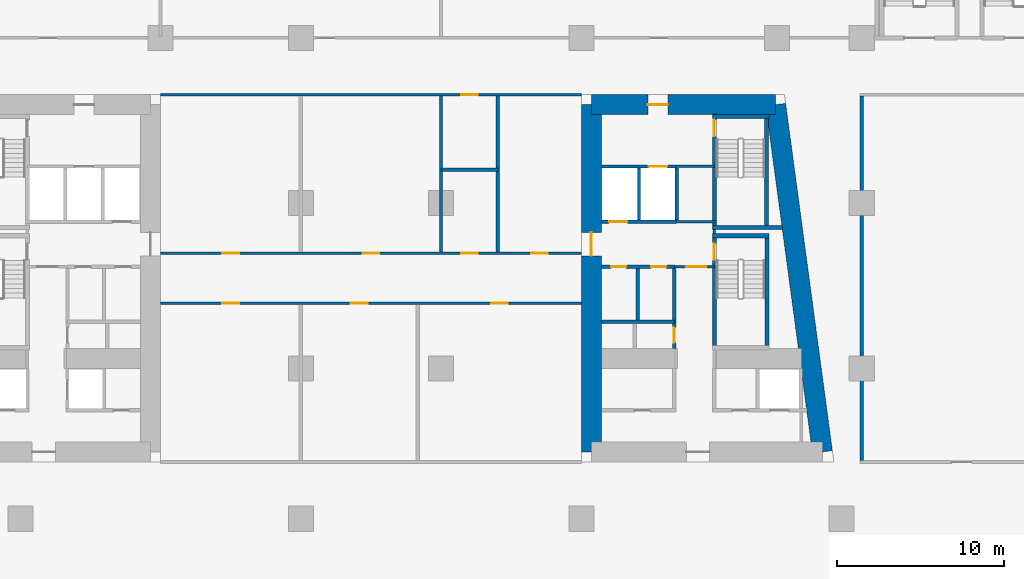
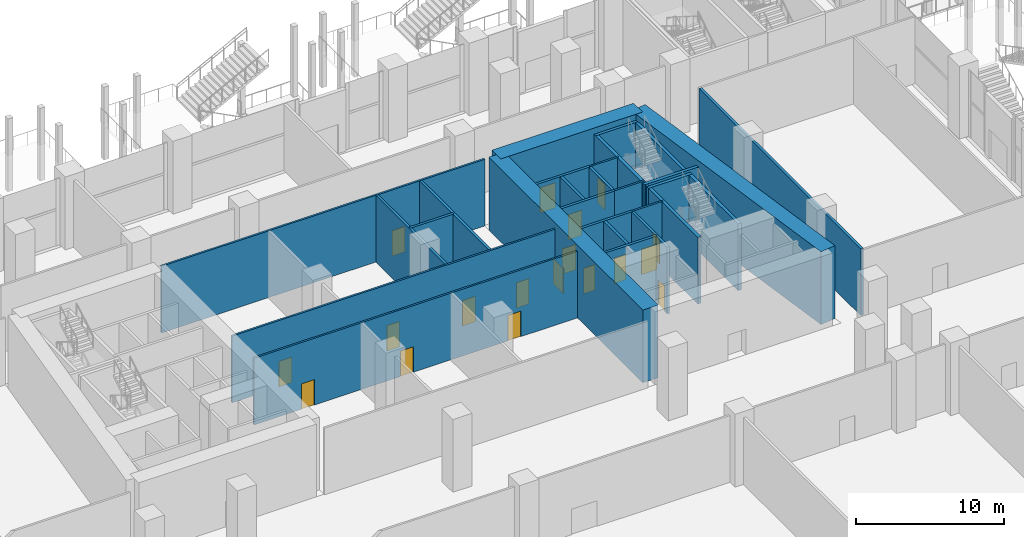
# One storey, part 27 of 49: 29 walls, 18 doors, 18 openings.
"""IFC4 building model written with IfcOpenShell, lengths in metres."""

import ifcopenshell
import ifcopenshell.guid

model = None  # the IFC model being written
_history = None  # IfcOwnerHistory: only IFC2X3 demands one
_inside = {}  # id of a spatial element -> (the spatial element, [elements in it])
_under = {}  # id of a project, library or spatial element -> (it, [spatial elements below it])
_declared = {}  # id of a project -> (the project, [libraries it declares])
_typed = {}  # id of a type object -> (the type object, [elements of that type])
_made_of = {}  # id of a material, layer set ... -> (it, [elements and type objects made of it])


def new_model(schema):
    """Start an empty IFC model of exactly this schema.

    Asked for "IFC4X3", IfcOpenShell would pick the latest addendum, in which some entities
    have other attributes; the version numbers below select the first issue.
    IFC2X3 requires an IfcOwnerHistory on every rooted entity: one is made here for all.
    """
    global model, _history
    if schema == "IFC4X3":
        model = ifcopenshell.file(schema_version=(4, 3, 0, 0))
    else:
        model = ifcopenshell.file(schema=schema)
    _inside.clear()
    _under.clear()
    _declared.clear()
    _typed.clear()
    _made_of.clear()
    _history = None
    if model.schema == "IFC2X3":
        org = make("IfcOrganization", Name="unknown")
        user = make(
            "IfcPersonAndOrganization",
            ThePerson=make("IfcPerson", FamilyName="unknown"),
            TheOrganization=org,
        )
        app = make(
            "IfcApplication",
            ApplicationDeveloper=org,
            Version="unknown",
            ApplicationFullName="unknown",
            ApplicationIdentifier="unknown",
        )
        _history = make(
            "IfcOwnerHistory",
            OwningUser=user,
            OwningApplication=app,
            ChangeAction="ADDED",
            CreationDate=0,
        )
    return model


def make(cls, **values):
    """One entity of the class cls with the attributes given. An attribute that is None is left unset."""
    return model.create_entity(
        cls, **{name: value for name, value in values.items() if value is not None}
    )


def rooted(cls, **values):
    """An entity with a GlobalId (a new one), such as an element, a storey or a relation."""
    return make(cls, GlobalId=ifcopenshell.guid.new(), OwnerHistory=_history, **values)


def si_unit(unit_type, name, prefix=None):
    """IfcSIUnit, for example si_unit("LENGTHUNIT", "METRE", prefix="MILLI")."""
    return make("IfcSIUnit", UnitType=unit_type, Prefix=prefix, Name=name)


def assignment(units):
    """IfcUnitAssignment: the units of a project."""
    return None if units is None else make("IfcUnitAssignment", Units=units)


def point(xyz):
    """IfcCartesianPoint."""
    return None if xyz is None else make("IfcCartesianPoint", Coordinates=xyz)


def direction(xyz):
    """IfcDirection."""
    return None if xyz is None else make("IfcDirection", DirectionRatios=xyz)


def frame(location, z_axis=None, x_axis=None):
    """IfcAxis2Placement3D, a coordinate frame: its origin and axes. An axis left out is left unset."""
    return make(
        "IfcAxis2Placement3D",
        Location=point(location),
        Axis=direction(z_axis),
        RefDirection=direction(x_axis),
    )


def frame_2d(location, x_axis=None):
    """IfcAxis2Placement2D, a coordinate frame in the plane: its origin and x axis."""
    return make(
        "IfcAxis2Placement2D", Location=point(location), RefDirection=direction(x_axis)
    )


def origin():
    """The frame at (0, 0, 0) with its axes left unset."""
    return frame((0.0, 0.0, 0.0))


def place(relative_to, where):
    """IfcLocalPlacement: puts the frame where relative to a parent placement (None: the world)."""
    return make(
        "IfcLocalPlacement", PlacementRelTo=relative_to, RelativePlacement=where
    )


def context(
    kind, dimensions, precision=None, world=None, true_north=None, identifier=None
):
    """IfcGeometricRepresentationContext, for example the 3D "Model" context."""
    return make(
        "IfcGeometricRepresentationContext",
        ContextIdentifier=identifier,
        ContextType=kind,
        CoordinateSpaceDimension=dimensions,
        Precision=precision,
        WorldCoordinateSystem=world,
        TrueNorth=true_north,
    )


def subcontext(parent, identifier, kind, view, scale=None):
    """IfcGeometricRepresentationSubContext, for example "Body" below "Model"."""
    return make(
        "IfcGeometricRepresentationSubContext",
        ContextIdentifier=identifier,
        ContextType=kind,
        ParentContext=parent,
        TargetScale=scale,
        TargetView=view,
    )


def project(units=None, contexts=None):
    """IfcProject with its units and contexts."""
    return rooted(
        "IfcProject",
        Name="project",
        RepresentationContexts=contexts,
        UnitsInContext=assignment(units),
    )


def spatial(cls, under=None, at=None, **own):
    """A site, building, storey or space (cls), placed at a placement, below another one or the project."""
    s = rooted(cls, ObjectPlacement=at, **own)
    if under is not None:
        _under.setdefault(under.id(), (under, []))[1].append(s)
    return s


def profile(cls, at=None, kind="AREA", **sizes):
    """A parametric profile (cls). Its sizes go by their IFC names, for example OverallWidth=200.0."""
    return make(cls, ProfileType=kind, Position=at, **sizes)


def rectangle(**sizes):
    """IfcRectangleProfileDef."""
    return profile("IfcRectangleProfileDef", **sizes)


def extrude(swept, where, along, depth):
    """IfcExtrudedAreaSolid: the profile swept, set in the frame where, extruded along a direction by depth."""
    return make(
        "IfcExtrudedAreaSolid",
        SweptArea=swept,
        Position=where,
        ExtrudedDirection=direction(along),
        Depth=depth,
    )


def shape(context_of_items, identifier, shape_type, items):
    """IfcShapeRepresentation: the items that make up one representation, for example the "Body"."""
    return make(
        "IfcShapeRepresentation",
        ContextOfItems=context_of_items,
        RepresentationIdentifier=identifier,
        RepresentationType=shape_type,
        Items=items,
    )


def material(Name=None, Category=None):
    """IfcMaterial."""
    return make("IfcMaterial", Name=Name, Category=Category)


def layer(
    of_material, thickness, ventilated=None, Name=None, Category=None, Priority=None
):
    """IfcMaterialLayer: one layer of a wall or slab, of a material (None: an air gap)."""
    return make(
        "IfcMaterialLayer",
        Material=of_material,
        LayerThickness=thickness,
        IsVentilated=ventilated,
        Name=Name,
        Category=Category,
        Priority=Priority,
    )


def layer_set(layers, Name=None):
    """IfcMaterialLayerSet."""
    return make("IfcMaterialLayerSet", MaterialLayers=layers, LayerSetName=Name)


def made_of(thing, what):
    """Note that an element or type object is made of a material, layer set ...; save() writes the relation."""
    if what is not None:
        _made_of.setdefault(what.id(), (what, []))[1].append(thing)
    return thing


def type_object(cls, material=None, **own):
    """A type object (cls), such as IfcWallType, which elements share."""
    return made_of(rooted(cls, **own), material)


def element(
    cls,
    number,
    at=None,
    inside=None,
    cuts=None,
    type_object=None,
    material=None,
    context=None,
    identifier="Body",
    shape_type=None,
    held_by="IfcProductDefinitionShape",
    body=None,
    shapes=None,
    **own,
):
    """One element of the class cls, such as IfcWall. Its Tag is "e" and its number.

    at: its placement. inside: the storey or other place that contains it. cuts: it is an
    opening in that element (IfcRelVoidsElement). A single representation is given by context,
    identifier, shape_type and body (its items); several are given by shapes. held_by: the class
    of the entity that holds the representations. save() writes the other relations.
    """
    e = rooted(cls, Tag="e%d" % number, ObjectPlacement=at, **own)
    if body is not None:
        shapes = [shape(context, identifier, shape_type, body)]
    if shapes is not None:
        e.Representation = make(held_by, Representations=shapes)
    if inside is not None:
        _inside.setdefault(inside.id(), (inside, []))[1].append(e)
    if cuts is not None:
        rooted(
            "IfcRelVoidsElement", RelatingBuildingElement=cuts, RelatedOpeningElement=e
        )
    if type_object is not None:
        _typed.setdefault(type_object.id(), (type_object, []))[1].append(e)
    return made_of(e, material)


def fill(opening, filler):
    """IfcRelFillsElement: the door or window that sits in an opening."""
    return rooted(
        "IfcRelFillsElement",
        RelatingOpeningElement=opening,
        RelatedBuildingElement=filler,
    )


def aggregate(whole, parts):
    """IfcRelAggregates: a whole, such as a stair, and the parts it consists of."""
    return rooted("IfcRelAggregates", RelatingObject=whole, RelatedObjects=parts)


def save(model, path):
    """Write the relations noted so far, then the file.

    IfcRelAggregates (storeys below a building ...), IfcRelContainedInSpatialStructure (elements
    in a storey), IfcRelDefinesByType, IfcRelAssociatesMaterial and IfcRelDeclares: one each for
    every whole, place, type object, material and project.
    """
    for whole, parts in _under.values():
        aggregate(whole, parts)
    for where, things in _inside.values():
        rooted(
            "IfcRelContainedInSpatialStructure",
            RelatedElements=things,
            RelatingStructure=where,
        )
    for kind, things in _typed.values():
        rooted("IfcRelDefinesByType", RelatedObjects=things, RelatingType=kind)
    for what, things in _made_of.values():
        rooted("IfcRelAssociatesMaterial", RelatedObjects=things, RelatingMaterial=what)
    for by, libraries in _declared.values():
        rooted("IfcRelDeclares", RelatingContext=by, RelatedDefinitions=libraries)
    model.write(path)


model = new_model("IFC4")

# Units and contexts
model_context = context("Model", 3, precision=1e-05, world=origin(), true_north=direction((0.0, 1.0)))
body_context = subcontext(model_context, "Body", "Model", "MODEL_VIEW")
ifc_project = project(units=[si_unit("LENGTHUNIT", "METRE"), si_unit("AREAUNIT", "SQUARE_METRE"), si_unit("VOLUMEUNIT", "CUBIC_METRE"), si_unit("PLANEANGLEUNIT", "RADIAN"), si_unit("MASSUNIT", "GRAM", prefix="KILO")], contexts=[model_context])

# Site, building, storey
site_placement = place(None, origin())
site = spatial("IfcSite", under=ifc_project, at=site_placement, CompositionType="ELEMENT")
building_placement = place(site_placement, origin())
building = spatial("IfcBuilding", under=site, at=building_placement, Name="Candeia Pilgrim Tower and Theatre", CompositionType="ELEMENT")
storey_placement = place(building_placement, frame((0.0, 0.0, 17.0)))
storey = spatial("IfcBuildingStorey", under=building, at=storey_placement, Name="L02", CompositionType="ELEMENT", Elevation=17.0)

# Wall, opening, door
ifc_material_1 = material(Name="Concrete C80/95", Category="concrete")
ifc_layer_1 = layer(ifc_material_1, 1.199951171875)
ifc_layer_set_1 = layer_set([ifc_layer_1], Name="Core wall 1200 C80/95")
wall_type_1 = type_object("IfcWallType", Name="Core wall 1200 C80/95", PredefinedType="SHEAR", material=ifc_layer_set_1)
wall_1_placement = place(storey_placement, frame((126.60009765625, 131.800048828125, 0.0), z_axis=(0.0, 0.0, 1.0), x_axis=(1.0, 0.0, 0.0)))
wall_1 = element("IfcWall", 1, at=wall_1_placement, inside=storey, type_object=wall_type_1, Name="Core wall E1", PredefinedType="SHEAR", context=body_context, shape_type="SweptSolid", body=[
    extrude(rectangle(XDim=11.04443359375, YDim=1.199951171875, at=frame_2d((5.522216796875, 0.0))), origin(), (0.0, 0.0, 1.0), 6.0),
])
opening_1_placement = place(wall_1_placement, frame((3.386474609375, 0.0, 0.0)))
opening_1 = element("IfcOpeningElement", 2, at=opening_1_placement, cuts=wall_1, Name="Opening L02-D049", PredefinedType="OPENING", context=body_context, shape_type="SweptSolid", body=[
    extrude(rectangle(XDim=1.199951171875, YDim=2.10009765625, at=frame_2d((0.60009765625, 1.050048828125))), frame((0.0, 0.60986328125, 0.0), z_axis=(0.0, -1.0, 0.0), x_axis=(1.0, 0.0, 0.0)), (0.0, 0.0, 1.0), 1.219970703125),
])
ifc_material_2 = material(Name="Steel fire door set", Category="steel")
door_type_1 = type_object("IfcDoorType", Name="D-1200-FD60", OperationType="NOTDEFINED", PredefinedType="DOOR", material=ifc_material_2)
door_1_placement = place(opening_1_placement, origin())
door_1 = element("IfcDoor", 3, at=door_1_placement, inside=storey, type_object=door_type_1, Name="Door L02-D049", OperationType="SINGLE_SWING_LEFT", OverallHeight=2.10009765625, OverallWidth=1.199951171875, PredefinedType="DOOR", context=body_context, shape_type="SweptSolid", body=[
    extrude(rectangle(XDim=1.199951171875, YDim=2.10009765625, at=frame_2d((0.60009765625, 1.050048828125))), frame((0.0, 0.02490234375, 0.0), z_axis=(0.0, -1.0, 0.0), x_axis=(1.0, 0.0, 0.0)), (0.0, 0.0, 1.0), 0.050048828125),
])
fill(opening_1, door_1)

# Wall
wall_2_placement = place(storey_placement, frame((137.64453125, 131.800048828125, 0.0), z_axis=(0.0, 0.0, 1.0), x_axis=(0.133413989637, -0.99106039542, 0.0)))
element("IfcWall", 4, at=wall_2_placement, inside=storey, type_object=wall_type_1, Name="Core wall E2", PredefinedType="SHEAR", context=body_context, shape_type="SweptSolid", body=[
    extrude(rectangle(XDim=20.987548828125, YDim=1.199951171875, at=frame_2d((10.49365234375, 0.0))), origin(), (0.0, 0.0, 1.0), 6.0),
])

# Wall, opening, door
wall_3_placement = place(storey_placement, frame((126.60009765625, 111.0, 0.0), z_axis=(0.0, 0.0, 1.0), x_axis=(0.0, 1.0, 0.0)))
wall_3 = element("IfcWall", 5, at=wall_3_placement, inside=storey, type_object=wall_type_1, Name="Core wall E4", PredefinedType="SHEAR", context=body_context, shape_type="SweptSolid", body=[
    extrude(rectangle(XDim=20.800048828125, YDim=1.199951171875, at=frame_2d((10.39990234375, 0.0))), origin(), (0.0, 0.0, 1.0), 6.0),
])
opening_2_placement = place(wall_3_placement, frame((11.75, 0.0, 0.0)))
opening_2 = element("IfcOpeningElement", 6, at=opening_2_placement, cuts=wall_3, Name="Opening L02-D050", PredefinedType="OPENING", context=body_context, shape_type="SweptSolid", body=[
    extrude(rectangle(XDim=1.39990234375, YDim=2.10009765625, at=frame_2d((0.699951171875, 1.050048828125))), frame((0.0, 0.60986328125, 0.0), z_axis=(0.0, -1.0, 0.0), x_axis=(1.0, 0.0, 0.0)), (0.0, 0.0, 1.0), 1.219970703125),
])
door_type_2 = type_object("IfcDoorType", Name="D-1400-FD60", OperationType="NOTDEFINED", PredefinedType="DOOR", material=ifc_material_2)
door_2_placement = place(opening_2_placement, origin())
door_2 = element("IfcDoor", 7, at=door_2_placement, inside=storey, type_object=door_type_2, Name="Door L02-D050", OperationType="SINGLE_SWING_RIGHT", OverallHeight=2.10009765625, OverallWidth=1.39990234375, PredefinedType="DOOR", context=body_context, shape_type="SweptSolid", body=[
    extrude(rectangle(XDim=1.39990234375, YDim=2.10009765625, at=frame_2d((0.699951171875, 1.050048828125))), frame((0.0, 0.02490234375, 0.0), z_axis=(0.0, -1.0, 0.0), x_axis=(1.0, 0.0, 0.0)), (0.0, 0.0, 1.0), 0.050048828125),
])
fill(opening_2, door_2)

ifc_material_3 = material(Name="Gypsum board partition on steel studs", Category="steel")
ifc_layer_2 = layer(ifc_material_3, 0.14990234375)
ifc_layer_set_2 = layer_set([ifc_layer_2], Name="PW-150 lobby wall")
wall_type_2 = type_object("IfcWallType", Name="PW-150 lobby wall", PredefinedType="PARTITIONING", material=ifc_layer_set_2)
wall_4_placement = place(storey_placement, frame((131.572998046875, 122.10009765625, 0.0), z_axis=(0.0, 0.0, 1.0), x_axis=(1.0, 0.0, 0.0)))
wall_4 = element("IfcWall", 8, at=wall_4_placement, inside=storey, type_object=wall_type_2, Name="Lobby wall L02-017", PredefinedType="PARTITIONING", context=body_context, shape_type="SweptSolid", body=[
    extrude(rectangle(XDim=2.39990234375, YDim=0.14990234375, at=frame_2d((1.199951171875, 0.0))), origin(), (0.0, 0.0, 1.0), 5.5),
])
opening_3_placement = place(wall_4_placement, frame((0.72509765625, 0.0, 0.0)))
opening_3 = element("IfcOpeningElement", 9, at=opening_3_placement, cuts=wall_4, Name="Opening L02-D037", PredefinedType="OPENING", context=body_context, shape_type="SweptSolid", body=[
    extrude(rectangle(XDim=1.199951171875, YDim=2.10009765625, at=frame_2d((0.60009765625, 1.050048828125))), frame((0.0, 0.0849609375, 0.0), z_axis=(0.0, -1.0, 0.0), x_axis=(1.0, 0.0, 0.0)), (0.0, 0.0, 1.0), 0.169921875),
])
door_3_placement = place(opening_3_placement, origin())
door_3 = element("IfcDoor", 10, at=door_3_placement, inside=storey, type_object=door_type_1, Name="Door L02-D037", OperationType="SINGLE_SWING_RIGHT", OverallHeight=2.10009765625, OverallWidth=1.199951171875, PredefinedType="DOOR", context=body_context, shape_type="SweptSolid", body=[
    extrude(rectangle(XDim=1.199951171875, YDim=2.10009765625, at=frame_2d((0.60009765625, 1.050048828125))), frame((0.0, 0.02490234375, 0.0), z_axis=(0.0, -1.0, 0.0), x_axis=(1.0, 0.0, 0.0)), (0.0, 0.0, 1.0), 0.050048828125),
])
fill(opening_3, door_3)

# Walls
wall_5_placement = place(storey_placement, frame((131.71533203125, 124.800048828125, 0.0), z_axis=(0.0, 0.0, 1.0), x_axis=(1.0, 0.0, 0.0)))
element("IfcWall", 11, at=wall_5_placement, inside=storey, type_object=wall_type_2, Name="Lobby wall L02-025", PredefinedType="PARTITIONING", context=body_context, shape_type="SweptSolid", body=[
    extrude(rectangle(XDim=2.382568359375, YDim=0.14990234375, at=frame_2d((1.19140625, 0.0))), origin(), (0.0, 0.0, 1.0), 5.5),
])
wall_6_placement = place(storey_placement, frame((131.71533203125, 128.10009765625, 0.0), z_axis=(0.0, 0.0, 1.0), x_axis=(1.0, 0.0, 0.0)))
element("IfcWall", 12, at=wall_6_placement, inside=storey, type_object=wall_type_2, Name="Lobby wall L02-029", PredefinedType="PARTITIONING", context=body_context, shape_type="SweptSolid", body=[
    extrude(rectangle(XDim=2.257568359375, YDim=0.14990234375, at=frame_2d((1.12890625, 0.0))), origin(), (0.0, 0.0, 1.0), 5.5),
])
wall_7_placement = place(storey_placement, frame((133.972900390625, 124.074951171875, 0.0), z_axis=(0.0, 0.0, 1.0), x_axis=(0.0, 1.0, 0.0)))
element("IfcWall", 13, at=wall_7_placement, inside=storey, type_object=wall_type_2, Name="Lobby wall L02-085", PredefinedType="PARTITIONING", context=body_context, shape_type="SweptSolid", body=[
    extrude(rectangle(XDim=0.25, YDim=0.14990234375, at=frame_2d((0.125, 0.0))), origin(), (0.0, 0.0, 1.0), 5.5),
])

# Wall, openings, doors
ifc_layer_3 = layer(ifc_material_3, 0.14990234375)
ifc_layer_set_3 = layer_set([ifc_layer_3], Name="PW-150 unit wall")
wall_type_3 = type_object("IfcWallType", Name="PW-150 unit wall", PredefinedType="PARTITIONING", material=ifc_layer_set_3)
wall_8_placement = place(storey_placement, frame((100.800048828125, 119.89990234375, 0.0), z_axis=(0.0, 0.0, 1.0), x_axis=(1.0, 0.0, 0.0)))
wall_8 = element("IfcWall", 14, at=wall_8_placement, inside=storey, type_object=wall_type_3, Name="Unit wall L02-013", PredefinedType="PARTITIONING", context=body_context, shape_type="SweptSolid", body=[
    extrude(rectangle(XDim=25.199951171875, YDim=0.14990234375, at=frame_2d((12.60009765625, 0.0))), origin(), (0.0, 0.0, 1.0), 5.5),
])
opening_4_placement = place(wall_8_placement, frame((3.699951171875, 0.0, 0.0)))
opening_4 = element("IfcOpeningElement", 15, at=opening_4_placement, cuts=wall_8, Name="Opening L02-D010", PredefinedType="OPENING", context=body_context, shape_type="SweptSolid", body=[
    extrude(rectangle(XDim=1.0, YDim=2.10009765625, at=frame_2d((0.5, 1.050048828125))), frame((0.0, 0.0849609375, 0.0), z_axis=(0.0, -1.0, 0.0), x_axis=(1.0, 0.0, 0.0)), (0.0, 0.0, 1.0), 0.169921875),
])
opening_5_placement = place(wall_8_placement, frame((11.39990234375, 0.0, 0.0)))
opening_5 = element("IfcOpeningElement", 16, at=opening_5_placement, cuts=wall_8, Name="Opening L02-D011", PredefinedType="OPENING", context=body_context, shape_type="SweptSolid", body=[
    extrude(rectangle(XDim=1.0, YDim=2.10009765625, at=frame_2d((0.5, 1.050048828125))), frame((0.0, 0.0849609375, 0.0), z_axis=(0.0, -1.0, 0.0), x_axis=(1.0, 0.0, 0.0)), (0.0, 0.0, 1.0), 0.169921875),
])
opening_6_placement = place(wall_8_placement, frame((19.800048828125, 0.0, 0.0)))
opening_6 = element("IfcOpeningElement", 17, at=opening_6_placement, cuts=wall_8, Name="Opening L02-D012", PredefinedType="OPENING", context=body_context, shape_type="SweptSolid", body=[
    extrude(rectangle(XDim=1.0, YDim=2.10009765625, at=frame_2d((0.5, 1.050048828125))), frame((0.0, 0.0849609375, 0.0), z_axis=(0.0, -1.0, 0.0), x_axis=(1.0, 0.0, 0.0)), (0.0, 0.0, 1.0), 0.169921875),
])
door_type_3 = type_object("IfcDoorType", Name="D-1000-FD30S", OperationType="NOTDEFINED", PredefinedType="DOOR", material=ifc_material_2)
door_4_placement = place(opening_4_placement, origin())
door_4 = element("IfcDoor", 18, at=door_4_placement, inside=storey, type_object=door_type_3, Name="Door L02-D010", OperationType="SINGLE_SWING_RIGHT", OverallHeight=2.10009765625, OverallWidth=1.0, PredefinedType="DOOR", context=body_context, shape_type="SweptSolid", body=[
    extrude(rectangle(XDim=1.0, YDim=2.10009765625, at=frame_2d((0.5, 1.050048828125))), frame((0.0, 0.02490234375, 0.0), z_axis=(0.0, -1.0, 0.0), x_axis=(1.0, 0.0, 0.0)), (0.0, 0.0, 1.0), 0.050048828125),
])
fill(opening_4, door_4)
door_5_placement = place(opening_5_placement, origin())
door_5 = element("IfcDoor", 19, at=door_5_placement, inside=storey, type_object=door_type_3, Name="Door L02-D011", OperationType="SINGLE_SWING_LEFT", OverallHeight=2.10009765625, OverallWidth=1.0, PredefinedType="DOOR", context=body_context, shape_type="SweptSolid", body=[
    extrude(rectangle(XDim=1.0, YDim=2.10009765625, at=frame_2d((0.5, 1.050048828125))), frame((0.0, 0.02490234375, 0.0), z_axis=(0.0, -1.0, 0.0), x_axis=(1.0, 0.0, 0.0)), (0.0, 0.0, 1.0), 0.050048828125),
])
fill(opening_5, door_5)
door_6_placement = place(opening_6_placement, origin())
door_6 = element("IfcDoor", 20, at=door_6_placement, inside=storey, type_object=door_type_3, Name="Door L02-D012", OperationType="SINGLE_SWING_RIGHT", OverallHeight=2.10009765625, OverallWidth=1.0, PredefinedType="DOOR", context=body_context, shape_type="SweptSolid", body=[
    extrude(rectangle(XDim=1.0, YDim=2.10009765625, at=frame_2d((0.5, 1.050048828125))), frame((0.0, 0.02490234375, 0.0), z_axis=(0.0, -1.0, 0.0), x_axis=(1.0, 0.0, 0.0)), (0.0, 0.0, 1.0), 0.050048828125),
])
fill(opening_6, door_6)

wall_9_placement = place(storey_placement, frame((100.800048828125, 122.89990234375, 0.0), z_axis=(0.0, 0.0, 1.0), x_axis=(1.0, 0.0, 0.0)))
wall_9 = element("IfcWall", 21, at=wall_9_placement, inside=storey, type_object=wall_type_3, Name="Unit wall L02-018", PredefinedType="PARTITIONING", context=body_context, shape_type="SweptSolid", body=[
    extrude(rectangle(XDim=25.199951171875, YDim=0.14990234375, at=frame_2d((12.60009765625, 0.0))), origin(), (0.0, 0.0, 1.0), 5.5),
])
opening_7_placement = place(wall_9_placement, frame((3.699951171875, 0.0, 0.0)))
opening_7 = element("IfcOpeningElement", 22, at=opening_7_placement, cuts=wall_9, Name="Opening L02-D013", PredefinedType="OPENING", context=body_context, shape_type="SweptSolid", body=[
    extrude(rectangle(XDim=1.0, YDim=2.10009765625, at=frame_2d((0.5, 1.050048828125))), frame((0.0, 0.0849609375, 0.0), z_axis=(0.0, -1.0, 0.0), x_axis=(1.0, 0.0, 0.0)), (0.0, 0.0, 1.0), 0.169921875),
])
opening_8_placement = place(wall_9_placement, frame((12.10009765625, 0.0, 0.0)))
opening_8 = element("IfcOpeningElement", 23, at=opening_8_placement, cuts=wall_9, Name="Opening L02-D014", PredefinedType="OPENING", context=body_context, shape_type="SweptSolid", body=[
    extrude(rectangle(XDim=1.0, YDim=2.10009765625, at=frame_2d((0.5, 1.050048828125))), frame((0.0, 0.0849609375, 0.0), z_axis=(0.0, -1.0, 0.0), x_axis=(1.0, 0.0, 0.0)), (0.0, 0.0, 1.0), 0.169921875),
])
opening_9_placement = place(wall_9_placement, frame((18.0, 0.0, 0.0)))
opening_9 = element("IfcOpeningElement", 24, at=opening_9_placement, cuts=wall_9, Name="Opening L02-D015", PredefinedType="OPENING", context=body_context, shape_type="SweptSolid", body=[
    extrude(rectangle(XDim=1.0, YDim=2.10009765625, at=frame_2d((0.5, 1.050048828125))), frame((0.0, 0.0849609375, 0.0), z_axis=(0.0, -1.0, 0.0), x_axis=(1.0, 0.0, 0.0)), (0.0, 0.0, 1.0), 0.169921875),
])
opening_10_placement = place(wall_9_placement, frame((22.199951171875, 0.0, 0.0)))
opening_10 = element("IfcOpeningElement", 25, at=opening_10_placement, cuts=wall_9, Name="Opening L02-D016", PredefinedType="OPENING", context=body_context, shape_type="SweptSolid", body=[
    extrude(rectangle(XDim=1.0, YDim=2.10009765625, at=frame_2d((0.5, 1.050048828125))), frame((0.0, 0.0849609375, 0.0), z_axis=(0.0, -1.0, 0.0), x_axis=(1.0, 0.0, 0.0)), (0.0, 0.0, 1.0), 0.169921875),
])
door_7_placement = place(opening_7_placement, origin())
door_7 = element("IfcDoor", 26, at=door_7_placement, inside=storey, type_object=door_type_3, Name="Door L02-D013", OperationType="SINGLE_SWING_LEFT", OverallHeight=2.10009765625, OverallWidth=1.0, PredefinedType="DOOR", context=body_context, shape_type="SweptSolid", body=[
    extrude(rectangle(XDim=1.0, YDim=2.10009765625, at=frame_2d((0.5, 1.050048828125))), frame((0.0, 0.02490234375, 0.0), z_axis=(0.0, -1.0, 0.0), x_axis=(1.0, 0.0, 0.0)), (0.0, 0.0, 1.0), 0.050048828125),
])
fill(opening_7, door_7)
door_8_placement = place(opening_8_placement, origin())
door_8 = element("IfcDoor", 27, at=door_8_placement, inside=storey, type_object=door_type_3, Name="Door L02-D014", OperationType="SINGLE_SWING_RIGHT", OverallHeight=2.10009765625, OverallWidth=1.0, PredefinedType="DOOR", context=body_context, shape_type="SweptSolid", body=[
    extrude(rectangle(XDim=1.0, YDim=2.10009765625, at=frame_2d((0.5, 1.050048828125))), frame((0.0, 0.02490234375, 0.0), z_axis=(0.0, -1.0, 0.0), x_axis=(1.0, 0.0, 0.0)), (0.0, 0.0, 1.0), 0.050048828125),
])
fill(opening_8, door_8)
door_9_placement = place(opening_9_placement, origin())
door_9 = element("IfcDoor", 28, at=door_9_placement, inside=storey, type_object=door_type_3, Name="Door L02-D015", OperationType="SINGLE_SWING_LEFT", OverallHeight=2.10009765625, OverallWidth=1.0, PredefinedType="DOOR", context=body_context, shape_type="SweptSolid", body=[
    extrude(rectangle(XDim=1.0, YDim=2.10009765625, at=frame_2d((0.5, 1.050048828125))), frame((0.0, 0.02490234375, 0.0), z_axis=(0.0, -1.0, 0.0), x_axis=(1.0, 0.0, 0.0)), (0.0, 0.0, 1.0), 0.050048828125),
])
fill(opening_9, door_9)
door_10_placement = place(opening_10_placement, origin())
door_10 = element("IfcDoor", 29, at=door_10_placement, inside=storey, type_object=door_type_3, Name="Door L02-D016", OperationType="SINGLE_SWING_RIGHT", OverallHeight=2.10009765625, OverallWidth=1.0, PredefinedType="DOOR", context=body_context, shape_type="SweptSolid", body=[
    extrude(rectangle(XDim=1.0, YDim=2.10009765625, at=frame_2d((0.5, 1.050048828125))), frame((0.0, 0.02490234375, 0.0), z_axis=(0.0, -1.0, 0.0), x_axis=(1.0, 0.0, 0.0)), (0.0, 0.0, 1.0), 0.050048828125),
])
fill(opening_10, door_10)

# Wall, opening, door
wall_10_placement = place(storey_placement, frame((100.800048828125, 132.39990234375, 0.0), z_axis=(0.0, 0.0, 1.0), x_axis=(1.0, 0.0, 0.0)))
wall_10 = element("IfcWall", 30, at=wall_10_placement, inside=storey, type_object=wall_type_3, Name="Unit wall L02-033", PredefinedType="PARTITIONING", context=body_context, shape_type="SweptSolid", body=[
    extrude(rectangle(XDim=25.199951171875, YDim=0.14990234375, at=frame_2d((12.60009765625, 0.0))), origin(), (0.0, 0.0, 1.0), 5.5),
])
opening_11_placement = place(wall_10_placement, frame((18.0, 0.0, 0.0)))
opening_11 = element("IfcOpeningElement", 31, at=opening_11_placement, cuts=wall_10, Name="Opening L02-D017", PredefinedType="OPENING", context=body_context, shape_type="SweptSolid", body=[
    extrude(rectangle(XDim=1.0, YDim=2.10009765625, at=frame_2d((0.5, 1.050048828125))), frame((0.0, 0.0849609375, 0.0), z_axis=(0.0, -1.0, 0.0), x_axis=(1.0, 0.0, 0.0)), (0.0, 0.0, 1.0), 0.169921875),
])
door_11_placement = place(opening_11_placement, origin())
door_11 = element("IfcDoor", 32, at=door_11_placement, inside=storey, type_object=door_type_3, Name="Door L02-D017", OperationType="SINGLE_SWING_LEFT", OverallHeight=2.10009765625, OverallWidth=1.0, PredefinedType="DOOR", context=body_context, shape_type="SweptSolid", body=[
    extrude(rectangle(XDim=1.0, YDim=2.10009765625, at=frame_2d((0.5, 1.050048828125))), frame((0.0, 0.02490234375, 0.0), z_axis=(0.0, -1.0, 0.0), x_axis=(1.0, 0.0, 0.0)), (0.0, 0.0, 1.0), 0.050048828125),
])
fill(opening_11, door_11)

# Walls
ifc_layer_4 = layer(ifc_material_3, 0.199951171875)
ifc_layer_set_4 = layer_set([ifc_layer_4], Name="PW-200 party wall")
wall_type_4 = type_object("IfcWallType", Name="PW-200 party wall", PredefinedType="PARTITIONING", material=ifc_layer_set_4)
wall_11_placement = place(storey_placement, frame((117.60009765625, 127.89990234375, 0.0), z_axis=(0.0, 0.0, 1.0), x_axis=(1.0, 0.0, 0.0)))
element("IfcWall", 33, at=wall_11_placement, inside=storey, type_object=wall_type_4, Name="Party wall L02-026", PredefinedType="PARTITIONING", context=body_context, shape_type="SweptSolid", body=[
    extrude(rectangle(XDim=3.39990234375, YDim=0.199951171875, at=frame_2d((1.699951171875, 0.0))), origin(), (0.0, 0.0, 1.0), 5.5),
])
for number, where, z_axis, x_axis, name in (
    (34, (117.60009765625, 122.97509765625, 0.0), (0.0, 0.0, 1.0), (0.0, 1.0, 0.0), "Party wall L02-072"),
    (35, (121.0, 122.97509765625, 0.0), (0.0, 0.0, 1.0), (0.0, 1.0, 0.0), "Party wall L02-074"),
):
    element("IfcWall", number, at=place(storey_placement, frame(where, z_axis=z_axis, x_axis=x_axis)), inside=storey, type_object=wall_type_4, Name=name, PredefinedType="PARTITIONING", context=body_context, shape_type="SweptSolid", body=[
        extrude(rectangle(XDim=9.349853515625, YDim=0.199951171875, at=frame_2d((4.6748046875, 0.0))), origin(), (0.0, 0.0, 1.0), 5.5),
    ])
wall_12_placement = place(storey_placement, frame((142.800048828125, 110.47509765625, 0.0), z_axis=(0.0, 0.0, 1.0), x_axis=(0.0, 1.0, 0.0)))
element("IfcWall", 36, at=wall_12_placement, inside=storey, type_object=wall_type_4, Name="Party wall L02-094", PredefinedType="PARTITIONING", context=body_context, shape_type="SweptSolid", body=[
    extrude(rectangle(XDim=21.849853515625, YDim=0.199951171875, at=frame_2d((10.9248046875, 0.0))), origin(), (0.0, 0.0, 1.0), 5.5),
])
ifc_material_4 = material(Name="Concrete C40/50", Category="concrete")
ifc_layer_5 = layer(ifc_material_4, 0.199951171875)
ifc_layer_set_5 = layer_set([ifc_layer_5], Name="SW-200 shaft wall")
wall_type_5 = type_object("IfcWallType", Name="SW-200 shaft wall", PredefinedType="PARTITIONING", material=ifc_layer_set_5)
wall_13_placement = place(storey_placement, frame((127.199951171875, 118.800048828125, 0.0), z_axis=(0.0, 0.0, 1.0), x_axis=(1.0, 0.0, 0.0)))
element("IfcWall", 37, at=wall_13_placement, inside=storey, type_object=wall_type_5, Name="Shaft wall L02-012", PredefinedType="PARTITIONING", context=body_context, shape_type="SweptSolid", body=[
    extrude(rectangle(XDim=4.373046875, YDim=0.199951171875, at=frame_2d((2.1865234375, 0.0))), origin(), (0.0, 0.0, 1.0), 5.5),
])

# Wall, openings, doors
wall_14_placement = place(storey_placement, frame((127.199951171875, 122.10009765625, 0.0), z_axis=(0.0, 0.0, 1.0), x_axis=(1.0, 0.0, 0.0)))
wall_14 = element("IfcWall", 38, at=wall_14_placement, inside=storey, type_object=wall_type_5, Name="Shaft wall L02-015", PredefinedType="PARTITIONING", context=body_context, shape_type="SweptSolid", body=[
    extrude(rectangle(XDim=4.373046875, YDim=0.199951171875, at=frame_2d((2.1865234375, 0.0))), origin(), (0.0, 0.0, 1.0), 5.5),
])
opening_12_placement = place(wall_14_placement, frame((2.97607421875, 0.0, 0.0)))
opening_12 = element("IfcOpeningElement", 39, at=opening_12_placement, cuts=wall_14, Name="Opening L02-D038", PredefinedType="OPENING", context=body_context, shape_type="SweptSolid", body=[
    extrude(rectangle(XDim=0.89990234375, YDim=2.10009765625, at=frame_2d((0.449951171875, 1.050048828125))), frame((0.0, 0.10986328125, 0.0), z_axis=(0.0, -1.0, 0.0), x_axis=(1.0, 0.0, 0.0)), (0.0, 0.0, 1.0), 0.219970703125),
])
opening_13_placement = place(wall_14_placement, frame((0.5849609375, 0.0, 0.0)))
opening_13 = element("IfcOpeningElement", 40, at=opening_13_placement, cuts=wall_14, Name="Opening L02-D039", PredefinedType="OPENING", context=body_context, shape_type="SweptSolid", body=[
    extrude(rectangle(XDim=0.89990234375, YDim=2.10009765625, at=frame_2d((0.449951171875, 1.050048828125))), frame((0.0, 0.10986328125, 0.0), z_axis=(0.0, -1.0, 0.0), x_axis=(1.0, 0.0, 0.0)), (0.0, 0.0, 1.0), 0.219970703125),
])
door_type_4 = type_object("IfcDoorType", Name="D-900-FD60", OperationType="NOTDEFINED", PredefinedType="DOOR", material=ifc_material_2)
door_12_placement = place(opening_12_placement, origin())
door_12 = element("IfcDoor", 41, at=door_12_placement, inside=storey, type_object=door_type_4, Name="Door L02-D038", OperationType="SINGLE_SWING_LEFT", OverallHeight=2.10009765625, OverallWidth=0.89990234375, PredefinedType="DOOR", context=body_context, shape_type="SweptSolid", body=[
    extrude(rectangle(XDim=0.89990234375, YDim=2.10009765625, at=frame_2d((0.449951171875, 1.050048828125))), frame((0.0, 0.02490234375, 0.0), z_axis=(0.0, -1.0, 0.0), x_axis=(1.0, 0.0, 0.0)), (0.0, 0.0, 1.0), 0.050048828125),
])
fill(opening_12, door_12)
door_13_placement = place(opening_13_placement, origin())
door_13 = element("IfcDoor", 42, at=door_13_placement, inside=storey, type_object=door_type_4, Name="Door L02-D039", OperationType="SINGLE_SWING_RIGHT", OverallHeight=2.10009765625, OverallWidth=0.89990234375, PredefinedType="DOOR", context=body_context, shape_type="SweptSolid", body=[
    extrude(rectangle(XDim=0.89990234375, YDim=2.10009765625, at=frame_2d((0.449951171875, 1.050048828125))), frame((0.0, 0.02490234375, 0.0), z_axis=(0.0, -1.0, 0.0), x_axis=(1.0, 0.0, 0.0)), (0.0, 0.0, 1.0), 0.050048828125),
])
fill(opening_13, door_13)

# Wall, opening, door
wall_15_placement = place(storey_placement, frame((127.199951171875, 124.800048828125, 0.0), z_axis=(0.0, 0.0, 1.0), x_axis=(1.0, 0.0, 0.0)))
wall_15 = element("IfcWall", 43, at=wall_15_placement, inside=storey, type_object=wall_type_5, Name="Shaft wall L02-024", PredefinedType="PARTITIONING", context=body_context, shape_type="SweptSolid", body=[
    extrude(rectangle(XDim=4.515380859375, YDim=0.199951171875, at=frame_2d((2.2578125, 0.0))), origin(), (0.0, 0.0, 1.0), 5.5),
])
opening_14_placement = place(wall_15_placement, frame((0.464111328125, 0.0, 0.0)))
opening_14 = element("IfcOpeningElement", 44, at=opening_14_placement, cuts=wall_15, Name="Opening L02-LD07", PredefinedType="OPENING", context=body_context, shape_type="SweptSolid", body=[
    extrude(rectangle(XDim=1.10009765625, YDim=2.10009765625, at=frame_2d((0.550048828125, 1.050048828125))), frame((0.0, 0.10986328125, 0.0), z_axis=(0.0, -1.0, 0.0), x_axis=(1.0, 0.0, 0.0)), (0.0, 0.0, 1.0), 0.219970703125),
])
ifc_material_5 = material(Name="Glazed aluminium landing door", Category="aluminium")
door_type_5 = type_object("IfcDoorType", Name="LD-1100-EI120", OperationType="SLIDING_TO_LEFT", PredefinedType="DOOR", material=ifc_material_5)
door_14_placement = place(opening_14_placement, origin())
door_14 = element("IfcDoor", 45, at=door_14_placement, inside=storey, type_object=door_type_5, Name="Landing door 07 L02", OperationType="SLIDING_TO_LEFT", OverallHeight=2.10009765625, OverallWidth=1.10009765625, PredefinedType="DOOR", context=body_context, shape_type="SweptSolid", body=[
    extrude(rectangle(XDim=1.10009765625, YDim=2.10009765625, at=frame_2d((0.550048828125, 1.050048828125))), frame((0.0, 0.02490234375, 0.0), z_axis=(0.0, -1.0, 0.0), x_axis=(1.0, 0.0, 0.0)), (0.0, 0.0, 1.0), 0.050048828125),
])
fill(opening_14, door_14)

wall_16_placement = place(storey_placement, frame((127.199951171875, 128.10009765625, 0.0), z_axis=(0.0, 0.0, 1.0), x_axis=(1.0, 0.0, 0.0)))
wall_16 = element("IfcWall", 46, at=wall_16_placement, inside=storey, type_object=wall_type_5, Name="Shaft wall L02-028", PredefinedType="PARTITIONING", context=body_context, shape_type="SweptSolid", body=[
    extrude(rectangle(XDim=4.515380859375, YDim=0.199951171875, at=frame_2d((2.2578125, 0.0))), origin(), (0.0, 0.0, 1.0), 5.5),
])
opening_15_placement = place(wall_16_placement, frame((2.8369140625, 0.0, 0.0)))
opening_15 = element("IfcOpeningElement", 47, at=opening_15_placement, cuts=wall_16, Name="Opening L02-LD06", PredefinedType="OPENING", context=body_context, shape_type="SweptSolid", body=[
    extrude(rectangle(XDim=1.10009765625, YDim=2.10009765625, at=frame_2d((0.550048828125, 1.050048828125))), frame((0.0, 0.10986328125, 0.0), z_axis=(0.0, -1.0, 0.0), x_axis=(1.0, 0.0, 0.0)), (0.0, 0.0, 1.0), 0.219970703125),
])
door_15_placement = place(opening_15_placement, origin())
door_15 = element("IfcDoor", 48, at=door_15_placement, inside=storey, type_object=door_type_5, Name="Landing door 06 L02", OperationType="SLIDING_TO_LEFT", OverallHeight=2.10009765625, OverallWidth=1.10009765625, PredefinedType="DOOR", context=body_context, shape_type="SweptSolid", body=[
    extrude(rectangle(XDim=1.10009765625, YDim=2.10009765625, at=frame_2d((0.550048828125, 1.050048828125))), frame((0.0, 0.02490234375, 0.0), z_axis=(0.0, -1.0, 0.0), x_axis=(1.0, 0.0, 0.0)), (0.0, 0.0, 1.0), 0.050048828125),
])
fill(opening_15, door_15)

# Walls
for number, where, z_axis, x_axis, name in (
    (49, (129.386474609375, 118.89990234375, 0.0), (0.0, 0.0, 1.0), (0.0, 1.0, 0.0), "Shaft wall L02-077"),
    (50, (129.457763671875, 124.89990234375, 0.0), (0.0, 0.0, 1.0), (0.0, 1.0, 0.0), "Shaft wall L02-078"),
):
    element("IfcWall", number, at=place(storey_placement, frame(where, z_axis=z_axis, x_axis=x_axis)), inside=storey, type_object=wall_type_5, Name=name, PredefinedType="PARTITIONING", context=body_context, shape_type="SweptSolid", body=[
        extrude(rectangle(XDim=3.10009765625, YDim=0.199951171875, at=frame_2d((1.550048828125, 0.0))), origin(), (0.0, 0.0, 1.0), 5.5),
    ])

# Wall, opening, door
wall_17_placement = place(storey_placement, frame((131.572998046875, 117.199951171875, 0.0), z_axis=(0.0, 0.0, 1.0), x_axis=(0.0, 1.0, 0.0)))
wall_17 = element("IfcWall", 51, at=wall_17_placement, inside=storey, type_object=wall_type_5, Name="Shaft wall L02-080", PredefinedType="PARTITIONING", context=body_context, shape_type="SweptSolid", body=[
    extrude(rectangle(XDim=4.800048828125, YDim=0.199951171875, at=frame_2d((2.39990234375, 0.0))), origin(), (0.0, 0.0, 1.0), 5.5),
])
opening_16_placement = place(wall_17_placement, frame((0.35009765625, 0.0, 0.0)))
opening_16 = element("IfcOpeningElement", 52, at=opening_16_placement, cuts=wall_17, Name="Opening L02-D042", PredefinedType="OPENING", context=body_context, shape_type="SweptSolid", body=[
    extrude(rectangle(XDim=0.89990234375, YDim=2.10009765625, at=frame_2d((0.449951171875, 1.050048828125))), frame((0.0, 0.10986328125, 0.0), z_axis=(0.0, -1.0, 0.0), x_axis=(1.0, 0.0, 0.0)), (0.0, 0.0, 1.0), 0.219970703125),
])
door_16_placement = place(opening_16_placement, origin())
door_16 = element("IfcDoor", 53, at=door_16_placement, inside=storey, type_object=door_type_4, Name="Door L02-D042", OperationType="SINGLE_SWING_LEFT", OverallHeight=2.10009765625, OverallWidth=0.89990234375, PredefinedType="DOOR", context=body_context, shape_type="SweptSolid", body=[
    extrude(rectangle(XDim=0.89990234375, YDim=2.10009765625, at=frame_2d((0.449951171875, 1.050048828125))), frame((0.0, 0.02490234375, 0.0), z_axis=(0.0, -1.0, 0.0), x_axis=(1.0, 0.0, 0.0)), (0.0, 0.0, 1.0), 0.050048828125),
])
fill(opening_16, door_16)

# Walls
wall_18_placement = place(storey_placement, frame((131.71533203125, 124.89990234375, 0.0), z_axis=(0.0, 0.0, 1.0), x_axis=(0.0, 1.0, 0.0)))
element("IfcWall", 54, at=wall_18_placement, inside=storey, type_object=wall_type_5, Name="Shaft wall L02-082", PredefinedType="PARTITIONING", context=body_context, shape_type="SweptSolid", body=[
    extrude(rectangle(XDim=3.10009765625, YDim=0.199951171875, at=frame_2d((1.550048828125, 0.0))), origin(), (0.0, 0.0, 1.0), 5.5),
])
ifc_layer_6 = layer(ifc_material_4, 0.25)
ifc_layer_set_6 = layer_set([ifc_layer_6], Name="SW-250 stair wall")
wall_type_6 = type_object("IfcWallType", Name="SW-250 stair wall", PredefinedType="PARTITIONING", material=ifc_layer_set_6)
wall_19_placement = place(storey_placement, frame((133.847900390625, 123.949951171875, 0.0), z_axis=(0.0, 0.0, 1.0), x_axis=(1.0, 0.0, 0.0)))
element("IfcWall", 55, at=wall_19_placement, inside=storey, type_object=wall_type_6, Name="Stair wall L02-020", PredefinedType="PARTITIONING", context=body_context, shape_type="SweptSolid", body=[
    extrude(rectangle(XDim=3.400146484375, YDim=0.25, at=frame_2d((1.7001953125, 0.0))), origin(), (0.0, 0.0, 1.0), 5.5),
])
wall_20_placement = place(storey_placement, frame((133.847900390625, 124.449951171875, 0.0), z_axis=(0.0, 0.0, 1.0), x_axis=(1.0, 0.0, 0.0)))
element("IfcWall", 56, at=wall_20_placement, inside=storey, type_object=wall_type_6, Name="Stair wall L02-022", PredefinedType="PARTITIONING", context=body_context, shape_type="SweptSolid", body=[
    extrude(rectangle(XDim=4.210693359375, YDim=0.25, at=frame_2d((2.10546875, 0.0))), origin(), (0.0, 0.0, 1.0), 5.5),
])
wall_21_placement = place(storey_placement, frame((133.847900390625, 131.10107421875, 0.0), z_axis=(0.0, 0.0, 1.0), x_axis=(1.0, 0.0, 0.0)))
element("IfcWall", 57, at=wall_21_placement, inside=storey, type_object=wall_type_6, Name="Stair wall L02-031", PredefinedType="PARTITIONING", context=body_context, shape_type="SweptSolid", body=[
    extrude(rectangle(XDim=3.400146484375, YDim=0.25, at=frame_2d((1.7001953125, 0.0))), origin(), (0.0, 0.0, 1.0), 5.5),
])

# Wall, opening, door
wall_22_placement = place(storey_placement, frame((133.972900390625, 117.169921875, 0.0), z_axis=(0.0, 0.0, 1.0), x_axis=(0.0, 1.0, 0.0)))
wall_22 = element("IfcWall", 58, at=wall_22_placement, inside=storey, type_object=wall_type_6, Name="Stair wall L02-086", PredefinedType="PARTITIONING", context=body_context, shape_type="SweptSolid", body=[
    extrude(rectangle(XDim=6.655029296875, YDim=0.25, at=frame_2d((3.32763671875, 0.0))), origin(), (0.0, 0.0, 1.0), 5.5),
])
opening_17_placement = place(wall_22_placement, frame((5.35498046875, 0.0, 0.0)))
opening_17 = element("IfcOpeningElement", 59, at=opening_17_placement, cuts=wall_22, Name="Opening L02-D040", PredefinedType="OPENING", context=body_context, shape_type="SweptSolid", body=[
    extrude(rectangle(XDim=0.949951171875, YDim=2.10009765625, at=frame_2d((0.47509765625, 1.050048828125))), frame((0.0, 0.135009765625, 0.0), z_axis=(0.0, -1.0, 0.0), x_axis=(1.0, 0.0, 0.0)), (0.0, 0.0, 1.0), 0.27001953125),
])
door_type_6 = type_object("IfcDoorType", Name="D-950-FD60", OperationType="NOTDEFINED", PredefinedType="DOOR", material=ifc_material_2)
door_17_placement = place(opening_17_placement, origin())
door_17 = element("IfcDoor", 60, at=door_17_placement, inside=storey, type_object=door_type_6, Name="Door L02-D040", OperationType="SINGLE_SWING_LEFT", OverallHeight=2.10009765625, OverallWidth=0.949951171875, PredefinedType="DOOR", context=body_context, shape_type="SweptSolid", body=[
    extrude(rectangle(XDim=0.949951171875, YDim=2.10009765625, at=frame_2d((0.47509765625, 1.050048828125))), frame((0.0, 0.02490234375, 0.0), z_axis=(0.0, -1.0, 0.0), x_axis=(1.0, 0.0, 0.0)), (0.0, 0.0, 1.0), 0.050048828125),
])
fill(opening_17, door_17)

wall_23_placement = place(storey_placement, frame((133.972900390625, 124.574951171875, 0.0), z_axis=(0.0, 0.0, 1.0), x_axis=(0.0, 1.0, 0.0)))
wall_23 = element("IfcWall", 61, at=wall_23_placement, inside=storey, type_object=wall_type_6, Name="Stair wall L02-087", PredefinedType="PARTITIONING", context=body_context, shape_type="SweptSolid", body=[
    extrude(rectangle(XDim=6.655029296875, YDim=0.25, at=frame_2d((3.32763671875, 0.0))), origin(), (0.0, 0.0, 1.0), 5.5),
])
opening_18_placement = place(wall_23_placement, frame((5.324951171875, 0.0, 0.0)))
opening_18 = element("IfcOpeningElement", 62, at=opening_18_placement, cuts=wall_23, Name="Opening L02-D041", PredefinedType="OPENING", context=body_context, shape_type="SweptSolid", body=[
    extrude(rectangle(XDim=1.0, YDim=2.10009765625, at=frame_2d((0.5, 1.050048828125))), frame((0.0, 0.135009765625, 0.0), z_axis=(0.0, -1.0, 0.0), x_axis=(1.0, 0.0, 0.0)), (0.0, 0.0, 1.0), 0.27001953125),
])
door_type_7 = type_object("IfcDoorType", Name="D-1000-FD60", OperationType="NOTDEFINED", PredefinedType="DOOR", material=ifc_material_2)
door_18_placement = place(opening_18_placement, origin())
door_18 = element("IfcDoor", 63, at=door_18_placement, inside=storey, type_object=door_type_7, Name="Door L02-D041", OperationType="SINGLE_SWING_RIGHT", OverallHeight=2.10009765625, OverallWidth=1.0, PredefinedType="DOOR", context=body_context, shape_type="SweptSolid", body=[
    extrude(rectangle(XDim=1.0, YDim=2.10009765625, at=frame_2d((0.5, 1.050048828125))), frame((0.0, 0.02490234375, 0.0), z_axis=(0.0, -1.0, 0.0), x_axis=(1.0, 0.0, 0.0)), (0.0, 0.0, 1.0), 0.050048828125),
])
fill(opening_18, door_18)

# Walls
wall_24_placement = place(storey_placement, frame((137.123046875, 117.169921875, 0.0), z_axis=(0.0, 0.0, 1.0), x_axis=(0.0, 1.0, 0.0)))
element("IfcWall", 64, at=wall_24_placement, inside=storey, type_object=wall_type_6, Name="Stair wall L02-089", PredefinedType="PARTITIONING", context=body_context, shape_type="SweptSolid", body=[
    extrude(rectangle(XDim=6.655029296875, YDim=0.25, at=frame_2d((3.32763671875, 0.0))), origin(), (0.0, 0.0, 1.0), 5.5),
])
wall_25_placement = place(storey_placement, frame((137.0927734375, 124.574951171875, 0.0), z_axis=(0.0, 0.0, 1.0), x_axis=(0.0, 1.0, 0.0)))
element("IfcWall", 65, at=wall_25_placement, inside=storey, type_object=wall_type_6, Name="Stair wall L02-090", PredefinedType="PARTITIONING", context=body_context, shape_type="SweptSolid", body=[
    extrude(rectangle(XDim=6.5, YDim=0.25, at=frame_2d((3.25, 0.0))), origin(), (0.0, 0.0, 1.0), 5.5),
])

save(model, "model.ifc")
